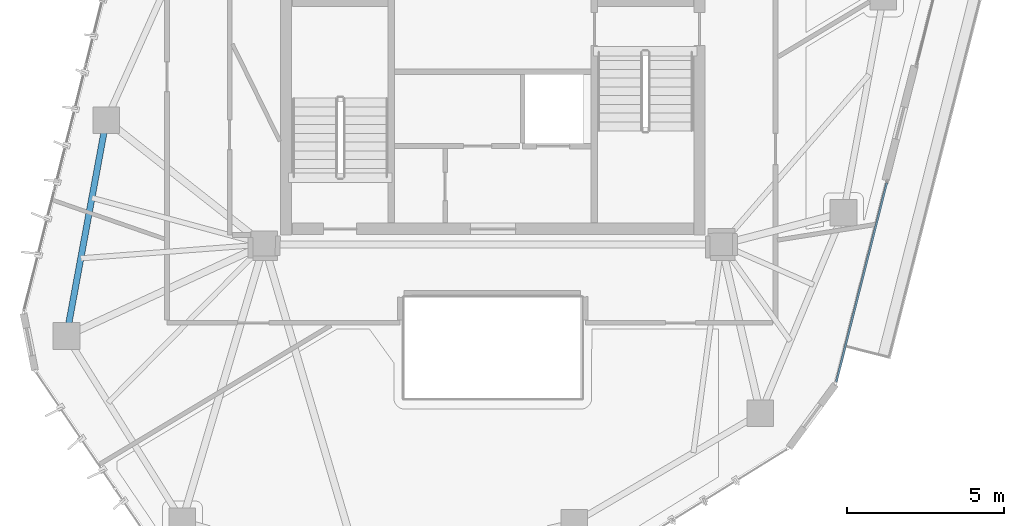
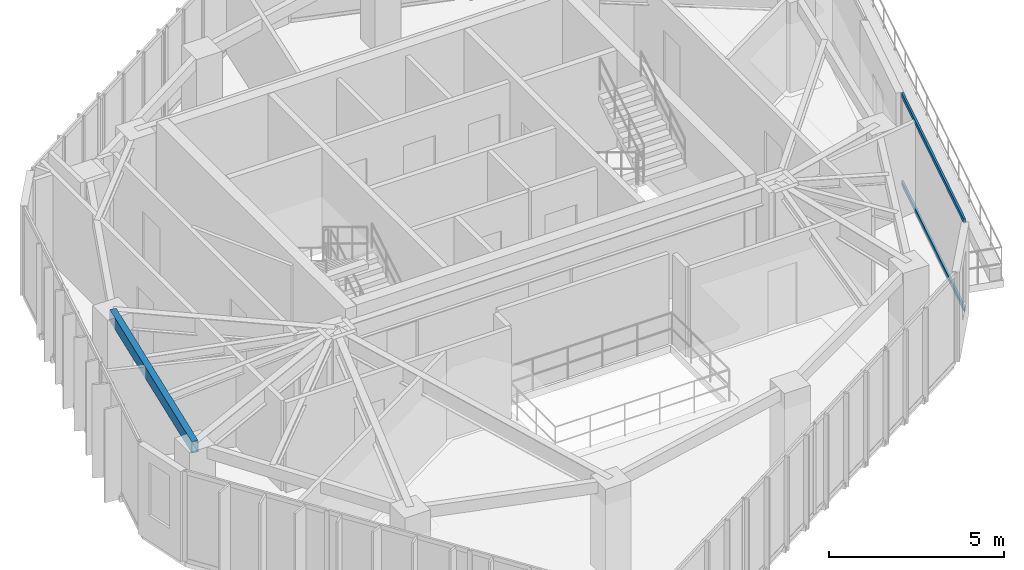
# One storey, part 7 of 20: 2 members, 1 beam, 1 element without a shape of its own.
"""IFC4 building model written with IfcOpenShell, lengths in metres."""

import ifcopenshell
import ifcopenshell.guid

model = None  # the IFC model being written
_history = None  # IfcOwnerHistory: only IFC2X3 demands one
_inside = {}  # id of a spatial element -> (the spatial element, [elements in it])
_under = {}  # id of a project, library or spatial element -> (it, [spatial elements below it])
_declared = {}  # id of a project -> (the project, [libraries it declares])
_typed = {}  # id of a type object -> (the type object, [elements of that type])
_made_of = {}  # id of a material, layer set ... -> (it, [elements and type objects made of it])


def new_model(schema):
    """Start an empty IFC model of exactly this schema.

    Asked for "IFC4X3", IfcOpenShell would pick the latest addendum, in which some entities
    have other attributes; the version numbers below select the first issue.
    IFC2X3 requires an IfcOwnerHistory on every rooted entity: one is made here for all.
    """
    global model, _history
    if schema == "IFC4X3":
        model = ifcopenshell.file(schema_version=(4, 3, 0, 0))
    else:
        model = ifcopenshell.file(schema=schema)
    _inside.clear()
    _under.clear()
    _declared.clear()
    _typed.clear()
    _made_of.clear()
    _history = None
    if model.schema == "IFC2X3":
        org = make("IfcOrganization", Name="unknown")
        user = make(
            "IfcPersonAndOrganization",
            ThePerson=make("IfcPerson", FamilyName="unknown"),
            TheOrganization=org,
        )
        app = make(
            "IfcApplication",
            ApplicationDeveloper=org,
            Version="unknown",
            ApplicationFullName="unknown",
            ApplicationIdentifier="unknown",
        )
        _history = make(
            "IfcOwnerHistory",
            OwningUser=user,
            OwningApplication=app,
            ChangeAction="ADDED",
            CreationDate=0,
        )
    return model


def make(cls, **values):
    """One entity of the class cls with the attributes given. An attribute that is None is left unset."""
    return model.create_entity(
        cls, **{name: value for name, value in values.items() if value is not None}
    )


def rooted(cls, **values):
    """An entity with a GlobalId (a new one), such as an element, a storey or a relation."""
    return make(cls, GlobalId=ifcopenshell.guid.new(), OwnerHistory=_history, **values)


def si_unit(unit_type, name, prefix=None):
    """IfcSIUnit, for example si_unit("LENGTHUNIT", "METRE", prefix="MILLI")."""
    return make("IfcSIUnit", UnitType=unit_type, Prefix=prefix, Name=name)


def assignment(units):
    """IfcUnitAssignment: the units of a project."""
    return None if units is None else make("IfcUnitAssignment", Units=units)


def point(xyz):
    """IfcCartesianPoint."""
    return None if xyz is None else make("IfcCartesianPoint", Coordinates=xyz)


def direction(xyz):
    """IfcDirection."""
    return None if xyz is None else make("IfcDirection", DirectionRatios=xyz)


def frame(location, z_axis=None, x_axis=None):
    """IfcAxis2Placement3D, a coordinate frame: its origin and axes. An axis left out is left unset."""
    return make(
        "IfcAxis2Placement3D",
        Location=point(location),
        Axis=direction(z_axis),
        RefDirection=direction(x_axis),
    )


def frame_2d(location, x_axis=None):
    """IfcAxis2Placement2D, a coordinate frame in the plane: its origin and x axis."""
    return make(
        "IfcAxis2Placement2D", Location=point(location), RefDirection=direction(x_axis)
    )


def origin():
    """The frame at (0, 0, 0) with its axes left unset."""
    return frame((0.0, 0.0, 0.0))


def origin_2d():
    """The frame at (0, 0) in the plane with its x axis left unset."""
    return frame_2d((0.0, 0.0))


def place(relative_to, where):
    """IfcLocalPlacement: puts the frame where relative to a parent placement (None: the world)."""
    return make(
        "IfcLocalPlacement", PlacementRelTo=relative_to, RelativePlacement=where
    )


def context(
    kind, dimensions, precision=None, world=None, true_north=None, identifier=None
):
    """IfcGeometricRepresentationContext, for example the 3D "Model" context."""
    return make(
        "IfcGeometricRepresentationContext",
        ContextIdentifier=identifier,
        ContextType=kind,
        CoordinateSpaceDimension=dimensions,
        Precision=precision,
        WorldCoordinateSystem=world,
        TrueNorth=true_north,
    )


def subcontext(parent, identifier, kind, view, scale=None):
    """IfcGeometricRepresentationSubContext, for example "Body" below "Model"."""
    return make(
        "IfcGeometricRepresentationSubContext",
        ContextIdentifier=identifier,
        ContextType=kind,
        ParentContext=parent,
        TargetScale=scale,
        TargetView=view,
    )


def project(units=None, contexts=None):
    """IfcProject with its units and contexts."""
    return rooted(
        "IfcProject",
        Name="project",
        RepresentationContexts=contexts,
        UnitsInContext=assignment(units),
    )


def spatial(cls, under=None, at=None, **own):
    """A site, building, storey or space (cls), placed at a placement, below another one or the project."""
    s = rooted(cls, ObjectPlacement=at, **own)
    if under is not None:
        _under.setdefault(under.id(), (under, []))[1].append(s)
    return s


def profile(cls, at=None, kind="AREA", **sizes):
    """A parametric profile (cls). Its sizes go by their IFC names, for example OverallWidth=200.0."""
    return make(cls, ProfileType=kind, Position=at, **sizes)


def hollow_rectangle(**sizes):
    """IfcRectangleHollowProfileDef."""
    return profile("IfcRectangleHollowProfileDef", **sizes)


def extrude(swept, where, along, depth):
    """IfcExtrudedAreaSolid: the profile swept, set in the frame where, extruded along a direction by depth."""
    return make(
        "IfcExtrudedAreaSolid",
        SweptArea=swept,
        Position=where,
        ExtrudedDirection=direction(along),
        Depth=depth,
    )


def shape(context_of_items, identifier, shape_type, items):
    """IfcShapeRepresentation: the items that make up one representation, for example the "Body"."""
    return make(
        "IfcShapeRepresentation",
        ContextOfItems=context_of_items,
        RepresentationIdentifier=identifier,
        RepresentationType=shape_type,
        Items=items,
    )


def source(mapping_origin, context_of_items, identifier, shape_type, items):
    """IfcRepresentationMap: a shape defined once, which mapped items show again and again."""
    return make(
        "IfcRepresentationMap",
        MappingOrigin=mapping_origin,
        MappedRepresentation=shape(context_of_items, identifier, shape_type, items),
    )


def transform(
    local_origin,
    x_axis=None,
    y_axis=None,
    z_axis=None,
    scale=None,
    scale2=None,
    scale3=None,
    uniform=True,
):
    """IfcCartesianTransformationOperator3D, or its non-uniform kind. x_axis, y_axis, z_axis: its Axis1, 2, 3."""
    if uniform:
        return make(
            "IfcCartesianTransformationOperator3D",
            Axis1=direction(x_axis),
            Axis2=direction(y_axis),
            LocalOrigin=point(local_origin),
            Scale=scale,
            Axis3=direction(z_axis),
        )
    return make(
        "IfcCartesianTransformationOperator3DnonUniform",
        Axis1=direction(x_axis),
        Axis2=direction(y_axis),
        LocalOrigin=point(local_origin),
        Scale=scale,
        Axis3=direction(z_axis),
        Scale2=scale2,
        Scale3=scale3,
    )


def mapped(mapping_source, mapping_target):
    """IfcMappedItem: shows the shape of a source again, moved by a transform."""
    return make(
        "IfcMappedItem", MappingSource=mapping_source, MappingTarget=mapping_target
    )


def material(Name=None, Category=None):
    """IfcMaterial."""
    return make("IfcMaterial", Name=Name, Category=Category)


def layer(
    of_material, thickness, ventilated=None, Name=None, Category=None, Priority=None
):
    """IfcMaterialLayer: one layer of a wall or slab, of a material (None: an air gap)."""
    return make(
        "IfcMaterialLayer",
        Material=of_material,
        LayerThickness=thickness,
        IsVentilated=ventilated,
        Name=Name,
        Category=Category,
        Priority=Priority,
    )


def layer_set(layers, Name=None):
    """IfcMaterialLayerSet."""
    return make("IfcMaterialLayerSet", MaterialLayers=layers, LayerSetName=Name)


def material_profile(
    of_material, cross_section, Name=None, Category=None, Priority=None
):
    """IfcMaterialProfile: a cross section and its material."""
    return make(
        "IfcMaterialProfile",
        Name=Name,
        Material=of_material,
        Profile=cross_section,
        Priority=Priority,
        Category=Category,
    )


def profile_set(profiles, Name=None, composite=None):
    """IfcMaterialProfileSet."""
    return make(
        "IfcMaterialProfileSet",
        Name=Name,
        MaterialProfiles=profiles,
        CompositeProfile=composite,
    )


def made_of(thing, what):
    """Note that an element or type object is made of a material, layer set ...; save() writes the relation."""
    if what is not None:
        _made_of.setdefault(what.id(), (what, []))[1].append(thing)
    return thing


def type_object(cls, material=None, **own):
    """A type object (cls), such as IfcWallType, which elements share."""
    return made_of(rooted(cls, **own), material)


def type_shapes(of_type, sources):
    """Give a type object the sources (RepresentationMaps) that its elements show as mapped items."""
    of_type.RepresentationMaps = sources


def element(
    cls,
    number,
    at=None,
    inside=None,
    cuts=None,
    type_object=None,
    material=None,
    context=None,
    identifier="Body",
    shape_type=None,
    held_by="IfcProductDefinitionShape",
    body=None,
    shapes=None,
    **own,
):
    """One element of the class cls, such as IfcWall. Its Tag is "e" and its number.

    at: its placement. inside: the storey or other place that contains it. cuts: it is an
    opening in that element (IfcRelVoidsElement). A single representation is given by context,
    identifier, shape_type and body (its items); several are given by shapes. held_by: the class
    of the entity that holds the representations. save() writes the other relations.
    """
    e = rooted(cls, Tag="e%d" % number, ObjectPlacement=at, **own)
    if body is not None:
        shapes = [shape(context, identifier, shape_type, body)]
    if shapes is not None:
        e.Representation = make(held_by, Representations=shapes)
    if inside is not None:
        _inside.setdefault(inside.id(), (inside, []))[1].append(e)
    if cuts is not None:
        rooted(
            "IfcRelVoidsElement", RelatingBuildingElement=cuts, RelatedOpeningElement=e
        )
    if type_object is not None:
        _typed.setdefault(type_object.id(), (type_object, []))[1].append(e)
    return made_of(e, material)


def aggregate(whole, parts):
    """IfcRelAggregates: a whole, such as a stair, and the parts it consists of."""
    return rooted("IfcRelAggregates", RelatingObject=whole, RelatedObjects=parts)


def save(model, path):
    """Write the relations noted so far, then the file.

    IfcRelAggregates (storeys below a building ...), IfcRelContainedInSpatialStructure (elements
    in a storey), IfcRelDefinesByType, IfcRelAssociatesMaterial and IfcRelDeclares: one each for
    every whole, place, type object, material and project.
    """
    for whole, parts in _under.values():
        aggregate(whole, parts)
    for where, things in _inside.values():
        rooted(
            "IfcRelContainedInSpatialStructure",
            RelatedElements=things,
            RelatingStructure=where,
        )
    for kind, things in _typed.values():
        rooted("IfcRelDefinesByType", RelatedObjects=things, RelatingType=kind)
    for what, things in _made_of.values():
        rooted("IfcRelAssociatesMaterial", RelatedObjects=things, RelatingMaterial=what)
    for by, libraries in _declared.values():
        rooted("IfcRelDeclares", RelatingContext=by, RelatedDefinitions=libraries)
    model.write(path)


model = new_model("IFC4")

# Units and contexts
model_context = context("Model", 3, precision=1e-05, world=origin(), true_north=direction((0.0, 1.0)))
body_context = subcontext(model_context, "Body", "Model", "MODEL_VIEW")
ifc_project = project(units=[si_unit("LENGTHUNIT", "METRE"), si_unit("AREAUNIT", "SQUARE_METRE"), si_unit("VOLUMEUNIT", "CUBIC_METRE"), si_unit("PLANEANGLEUNIT", "RADIAN"), si_unit("MASSUNIT", "GRAM", prefix="KILO")], contexts=[model_context])

# Site, building, storey
site_placement = place(None, origin())
site = spatial("IfcSite", under=ifc_project, at=site_placement, CompositionType="ELEMENT")
building_placement = place(site_placement, origin())
building = spatial("IfcBuilding", under=site, at=building_placement, Name="Talar Marvaseh", CompositionType="ELEMENT")
storey_placement = place(building_placement, frame((0.0, 0.0, 251.0)))
storey = spatial("IfcBuildingStorey", under=building, at=storey_placement, Name="L66", CompositionType="ELEMENT", Elevation=251.0)

# Beam
ifc_material_1 = material(Name="Steel S355", Category="steel")
ifc_material_profile_1 = material_profile(ifc_material_1, hollow_rectangle(XDim=0.199951171875, YDim=0.39990234375, WallThickness=0.013916015625, at=origin_2d()), Name="RHS400x200x14")
ifc_profile_set_1 = profile_set([ifc_material_profile_1], Name="Steel S355")
beam_type = type_object("IfcBeamType", Name="Zone 3 Perimeter Spandrel Beam RHS400x200x14", PredefinedType="SPANDREL", material=ifc_profile_set_1)
beam_placement = place(storey_placement, frame((12.388916015625, 22.576904296875, 2.93994140625), z_axis=(0.18106135948, 0.983471801377, 0.0), x_axis=(-0.983471801377, 0.18106135948, 0.0)))
element("IfcBeam", 1, at=beam_placement, inside=storey, type_object=beam_type, Name="L66 Zone 3 Perimeter Spandrel Beam RHS400x200x14", PredefinedType="SPANDREL", context=body_context, shape_type="SweptSolid", body=[
    extrude(hollow_rectangle(XDim=0.199951171875, YDim=0.39990234375, WallThickness=0.013916015625, at=origin_2d()), origin(), (0.0, 0.0, 1.0), 7.0087890625),
])

# Curtain wall, members
ifc_material_2 = material(Name="Architectural Aluminium", Category="aluminium")
ifc_layer = layer(ifc_material_2, 0.179931640625)
ifc_layer_set = layer_set([ifc_layer], Name="Architectural Aluminium")
curtain_wall_type = type_object("IfcCurtainWallType", Name="Unitised High-Wind Sky Curtain Wall Z4", PredefinedType="NOTDEFINED", material=ifc_layer_set)
curtain_wall_placement = place(storey_placement, origin())
curtain_wall = element("IfcCurtainWall", 2, at=curtain_wall_placement, inside=storey, type_object=curtain_wall_type, Name="L66 Unitised High-Wind Sky Curtain Wall Z4", PredefinedType="NOTDEFINED")
ifc_material_profile_2 = material_profile(ifc_material_2, hollow_rectangle(XDim=0.06494140625, YDim=0.14990234375, WallThickness=0.00390625, at=origin_2d()), Name="RHS150x65x4")
ifc_profile_set_2 = profile_set([ifc_material_profile_2], Name="Architectural Aluminium")
member_type = type_object("IfcMemberType", Name="Unitised Curtain Wall Slim Transom RHS150x65x4", PredefinedType="USERDEFINED", material=ifc_profile_set_2)
shared_shape = source(origin(), body_context, "Body", "SweptSolid", [
    extrude(hollow_rectangle(XDim=0.06494140625, YDim=0.14990234375, WallThickness=0.00390625, at=origin_2d()), origin(), (0.0, 0.0, 1.0), 6.556396484375),
])
type_shapes(member_type, [shared_shape])
member_1_placement = place(storey_placement, frame((38.57958984375, 27.468994140625, 0.032470703125), z_axis=(-0.246283771507, -0.969197763045, 0.0), x_axis=(0.969197763045, -0.246283771507, 0.0)))
member_1 = element("IfcMember", 3, at=member_1_placement, type_object=member_type, Name="CW-Z4 transom 1.1", ObjectType="TRANSOM", PredefinedType="USERDEFINED", context=body_context, shape_type="MappedRepresentation", body=[
    mapped(shared_shape, transform((0.0, 0.0, 0.0), x_axis=(1.0, 0.0, 0.0), y_axis=(0.0, 1.0, 0.0), z_axis=(0.0, 0.0, 1.0), scale=1.0)),
])
member_2_placement = place(storey_placement, frame((38.57958984375, 27.468994140625, 3.107421875), z_axis=(-0.246283771507, -0.969197763045, 0.0), x_axis=(0.969197763045, -0.246283771507, 0.0)))
member_2 = element("IfcMember", 4, at=member_2_placement, type_object=member_type, Name="CW-Z4 transom 1.2", ObjectType="TRANSOM", PredefinedType="USERDEFINED", context=body_context, shape_type="MappedRepresentation", body=[
    mapped(shared_shape, transform((0.0, 0.0, 0.0), x_axis=(1.0, 0.0, 0.0), y_axis=(0.0, 1.0, 0.0), z_axis=(0.0, 0.0, 1.0), scale=1.0)),
])
aggregate(curtain_wall, [member_1, member_2])

save(model, "model.ifc")
